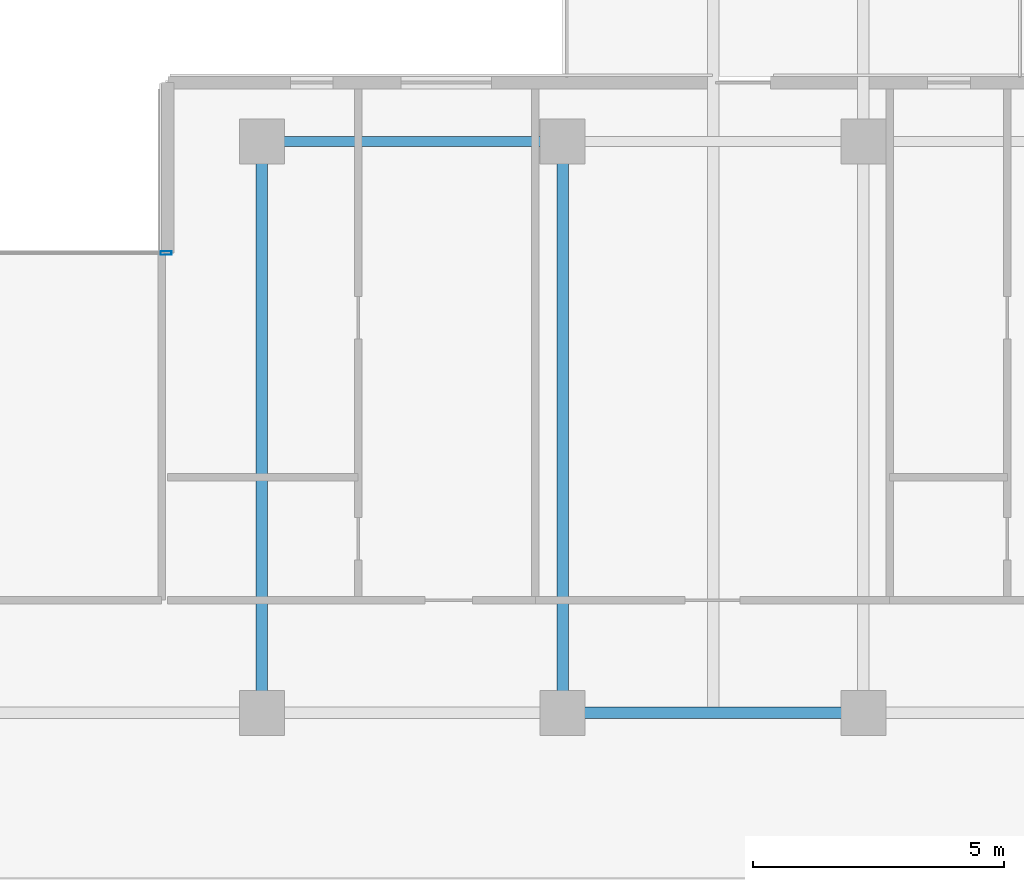
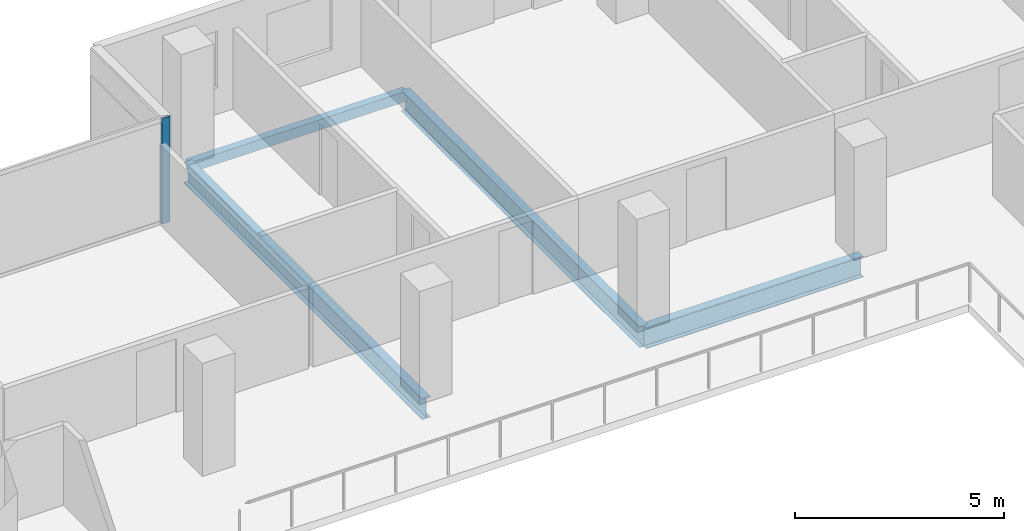
# One storey, part 7 of 19: 4 beams, 1 member, 1 element without a shape of its own.
"""IFC4 building model written with IfcOpenShell, lengths in metres."""

from ifc_helpers import new_model, si_unit, direction, frame, origin, origin_2d, place, context, subcontext, project, spatial, hollow_rectangle, i_section, extrude, material, layer, layer_set, material_profile, profile_set, type_object, element, aggregate, save


model = new_model("IFC4")

# Units and contexts
model_context = context("Model", 3, precision=1e-05, world=origin(), true_north=direction((0.0, 1.0)))
body_context = subcontext(model_context, "Body", "Model", "MODEL_VIEW")
ifc_project = project(units=[si_unit("LENGTHUNIT", "METRE"), si_unit("AREAUNIT", "SQUARE_METRE"), si_unit("VOLUMEUNIT", "CUBIC_METRE"), si_unit("PLANEANGLEUNIT", "RADIAN"), si_unit("MASSUNIT", "GRAM", prefix="KILO")], contexts=[model_context])

# Site, building, storey
site_placement = place(None, origin())
site = spatial("IfcSite", under=ifc_project, at=site_placement, CompositionType="ELEMENT")
building_placement = place(site_placement, origin())
building = spatial("IfcBuilding", under=site, at=building_placement, Name="Tanjung Sevakor Pilgrim Tower", CompositionType="ELEMENT")
storey_placement = place(building_placement, frame((0.0, 0.0, 138.60009765625)))
storey = spatial("IfcBuildingStorey", under=building, at=storey_placement, Name="L38", CompositionType="ELEMENT", Elevation=138.60009765625)

# Beams
ifc_material_1 = material(Name="Steel S355J2", Category="steel")
ifc_material_profile_1 = material_profile(ifc_material_1, i_section(OverallWidth=0.230224609375, OverallDepth=0.6171875, WebThickness=0.01318359375, FlangeThickness=0.022216796875, FilletRadius=0.0126953125, at=origin_2d()))
ifc_profile_set_1 = profile_set([ifc_material_profile_1], Name="Steel S355J2")
beam_type_1 = type_object("IfcBeamType", Name="BM-B-G3-UB_610x229x140", PredefinedType="BEAM", material=ifc_profile_set_1)
beam_1_placement = place(storey_placement, frame((60.0, 42.60009765625, -0.52880859375), z_axis=(1.0, 0.0, 0.0), x_axis=(0.0, 1.0, 0.0)))
element("IfcBeam", 1, at=beam_1_placement, inside=storey, type_object=beam_type_1, Name="L38 Primary Floor Girder MAIN Y426-05", PredefinedType="BEAM", context=body_context, shape_type="SweptSolid", body=[
    extrude(i_section(OverallWidth=0.230224609375, OverallDepth=0.6171875, WebThickness=0.01318359375, FlangeThickness=0.022216796875, FilletRadius=0.0126953125, at=origin_2d()), origin(), (0.0, 0.0, 1.0), 6.0),
])
ifc_material_2 = material(Name="Steel S355J2", Category="steel")
ifc_material_profile_2 = material_profile(ifc_material_2, i_section(OverallWidth=0.22900390625, OverallDepth=0.6123046875, WebThickness=0.011962890625, FlangeThickness=0.01953125, FilletRadius=0.0126953125, at=origin_2d()))
ifc_profile_set_2 = profile_set([ifc_material_profile_2], Name="Steel S355J2")
beam_type_2 = type_object("IfcBeamType", Name="BM-B-G4-UB_610x229x125", PredefinedType="BEAM", material=ifc_profile_set_2)
for number, where, z_axis, x_axis, name in (
    (2, (54.0, 42.60009765625, -0.526123046875), (0.0, 1.0, 0.0), (-1.0, 0.0, 0.0), "L38 MAIN Girder 011"),
    (3, (60.0, 42.60009765625, -0.526123046875), (0.0, 1.0, 0.0), (-1.0, 0.0, 0.0), "L38 MAIN Girder 013"),
):
    element("IfcBeam", number, at=place(storey_placement, frame(where, z_axis=z_axis, x_axis=x_axis)), inside=storey, type_object=beam_type_2, Name=name, PredefinedType="BEAM", context=body_context, shape_type="SweptSolid", body=[
        extrude(i_section(OverallWidth=0.22900390625, OverallDepth=0.6123046875, WebThickness=0.011962890625, FlangeThickness=0.01953125, FilletRadius=0.0126953125, at=origin_2d()), origin(), (0.0, 0.0, 1.0), 11.39990234375),
    ])
ifc_material_3 = material(Name="Steel S355J2", Category="steel")
ifc_material_profile_3 = material_profile(ifc_material_3, hollow_rectangle(XDim=0.199951171875, YDim=0.300048828125, WallThickness=0.012451171875, at=origin_2d()))
ifc_profile_set_3 = profile_set([ifc_material_profile_3], Name="Steel S355J2")
beam_type_3 = type_object("IfcBeamType", Name="BM-B-SP3-RHS_300x200x12.5", PredefinedType="SPANDREL", material=ifc_profile_set_3)
beam_2_placement = place(storey_placement, frame((54.0, 54.0, -0.3701171875), z_axis=(1.0, 0.0, 0.0), x_axis=(0.0, 1.0, 0.0)))
element("IfcBeam", 4, at=beam_2_placement, inside=storey, type_object=beam_type_3, Name="L38 Spandrel MAIN N-08", PredefinedType="SPANDREL", context=body_context, shape_type="SweptSolid", body=[
    extrude(hollow_rectangle(XDim=0.199951171875, YDim=0.300048828125, WallThickness=0.012451171875, at=origin_2d()), origin(), (0.0, 0.0, 1.0), 6.0),
])

# Curtain wall, member
ifc_material_4 = material(Name="Aluminium 6063-T6 and Low-E Glass", Category="aluminium")
ifc_layer = layer(ifc_material_4, 0.179931640625)
ifc_layer_set = layer_set([ifc_layer], Name="CW-SYS-CLEFT")
curtain_wall_type = type_object("IfcCurtainWallType", Name="CW-SYS-CLEFT", PredefinedType="NOTDEFINED", material=ifc_layer_set)
curtain_wall_placement = place(storey_placement, origin())
curtain_wall = element("IfcCurtainWall", 5, at=curtain_wall_placement, inside=storey, type_object=curtain_wall_type, Name="L38 Curtain Wall CW-CLF-L38-10", PredefinedType="NOTDEFINED")
ifc_material_5 = material(Name="Aluminium 6063-T6", Category="aluminium")
ifc_material_profile_4 = material_profile(ifc_material_5, hollow_rectangle(XDim=0.074951171875, YDim=0.219970703125, WallThickness=0.0048828125, at=origin_2d()))
ifc_profile_set_4 = profile_set([ifc_material_profile_4], Name="Aluminium 6063-T6")
member_type = type_object("IfcMemberType", Name="TYPE-CWM-2", PredefinedType="MULLION", material=ifc_profile_set_4)
member_placement = place(storey_placement, frame((52.08740234375, 51.77490234375, 0.0), z_axis=(0.0, 0.0, 1.0), x_axis=(0.0, -1.0, 0.0)))
member = element("IfcMember", 6, at=member_placement, type_object=member_type, Name="CW-CLF mullion 1", PredefinedType="MULLION", context=body_context, shape_type="SweptSolid", body=[
    extrude(hollow_rectangle(XDim=0.074951171875, YDim=0.219970703125, WallThickness=0.0048828125, at=origin_2d()), origin(), (0.0, 0.0, 1.0), 3.079833984375),
])
aggregate(curtain_wall, [member])

save(model, "model.ifc")
